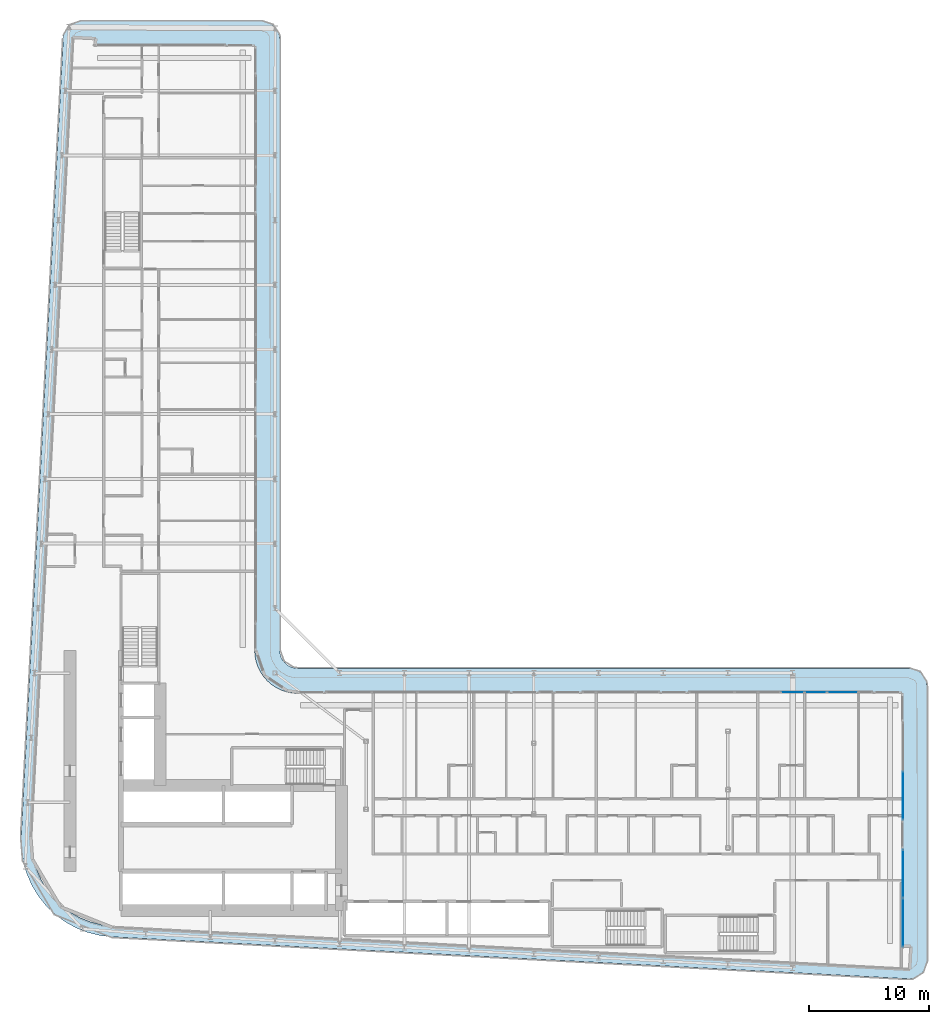
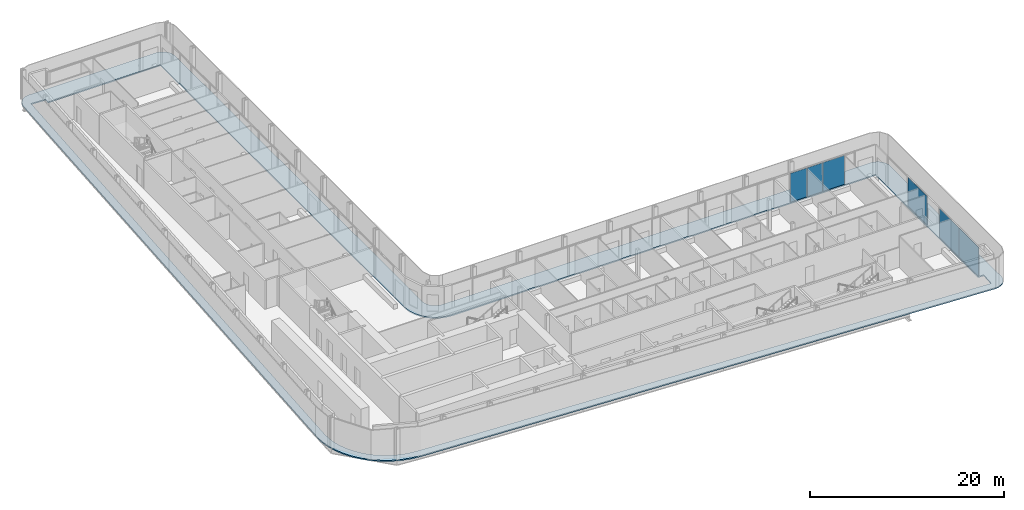
# One storey, part 12 of 29: 6 plates, 1 slab, 3 elements without a shape of their own.
"""IFC4 building model written with IfcOpenShell, lengths in metres."""

from ifc_helpers import new_model, si_unit, direction, frame, origin, origin_2d, place, context, subcontext, project, spatial, polyline, rectangle, outline, extrude, material, layer, layer_set, type_object, element, aggregate, save


model = new_model("IFC4")

# Units and contexts
model_context = context("Model", 3, precision=1e-05, world=origin(), true_north=direction((0.0, 1.0)))
body_context = subcontext(model_context, "Body", "Model", "MODEL_VIEW")
ifc_project = project(units=[si_unit("LENGTHUNIT", "METRE"), si_unit("AREAUNIT", "SQUARE_METRE"), si_unit("VOLUMEUNIT", "CUBIC_METRE"), si_unit("PLANEANGLEUNIT", "RADIAN"), si_unit("MASSUNIT", "GRAM", prefix="KILO")], contexts=[model_context])

# Site, building, storey
site_placement = place(None, origin())
site = spatial("IfcSite", under=ifc_project, at=site_placement, CompositionType="ELEMENT")
building_placement = place(site_placement, origin())
building = spatial("IfcBuilding", under=site, at=building_placement, Name="Kheshtan School and Residences Tower", CompositionType="ELEMENT")
storey_placement = place(building_placement, frame((0.0, 0.0, 69.5)))
storey = spatial("IfcBuildingStorey", under=building, at=storey_placement, Name="L16", CompositionType="ELEMENT", Elevation=69.5)

# Curtain wall, plates
ifc_material_1 = material(Name="Clear low-e glass in thermally broken aluminium frame", Category="aluminium")
ifc_layer_1 = layer(ifc_material_1, 0.199951171875)
ifc_layer_set_1 = layer_set([ifc_layer_1], Name="Curtain wall CW-L")
curtain_wall_type = type_object("IfcCurtainWallType", Name="Curtain wall CW-L", PredefinedType="NOTDEFINED", material=ifc_layer_set_1)
curtain_wall_1_placement = place(storey_placement, origin())
curtain_wall_1 = element("IfcCurtainWall", 1, at=curtain_wall_1_placement, inside=storey, type_object=curtain_wall_type, Name="Curtain wall CWL12m", PredefinedType="NOTDEFINED")
ifc_layer_2 = layer(ifc_material_1, 0.031982421875)
ifc_layer_set_2 = layer_set([ifc_layer_2], Name="CW-L glass panel")
plate_type = type_object("IfcPlateType", Name="CW-L glass panel", PredefinedType="CURTAIN_PANEL", material=ifc_layer_set_2)
plate_1_placement = place(storey_placement, frame((90.7880859375, 44.0, 0.0), z_axis=(0.0, 0.0, 1.0), x_axis=(1.0, 0.0, 0.0)))
plate_1 = element("IfcPlate", 2, at=plate_1_placement, type_object=plate_type, Name="CWL12m panel 1.1", PredefinedType="CURTAIN_PANEL", context=body_context, shape_type="SweptSolid", body=[
    extrude(rectangle(XDim=1.964111328125, YDim=0.031982421875, at=origin_2d()), origin(), (0.0, 0.0, 1.0), 3.6298828125),
])
plate_2_placement = place(storey_placement, frame((92.7265625, 44.0, 0.0), z_axis=(0.0, 0.0, 1.0), x_axis=(1.0, 0.0, 0.0)))
plate_2 = element("IfcPlate", 3, at=plate_2_placement, type_object=plate_type, Name="CWL12m panel 2.1", PredefinedType="CURTAIN_PANEL", context=body_context, shape_type="SweptSolid", body=[
    extrude(rectangle(XDim=1.79296875, YDim=0.031982421875, at=origin_2d()), origin(), (0.0, 0.0, 1.0), 3.6298828125),
])
plate_3_placement = place(storey_placement, frame((94.9765625, 44.0, 0.0), z_axis=(0.0, 0.0, 1.0), x_axis=(1.0, 0.0, 0.0)))
plate_3 = element("IfcPlate", 4, at=plate_3_placement, type_object=plate_type, Name="CWL12m panel 3.1", PredefinedType="CURTAIN_PANEL", context=body_context, shape_type="SweptSolid", body=[
    extrude(rectangle(XDim=2.5869140625, YDim=0.031982421875, at=origin_2d()), origin(), (0.0, 0.0, 1.0), 3.6298828125),
])
aggregate(curtain_wall_1, [plate_1, plate_2, plate_3])

# Curtain wall, plate
curtain_wall_2_placement = place(storey_placement, origin())
curtain_wall_2 = element("IfcCurtainWall", 5, at=curtain_wall_2_placement, inside=storey, type_object=curtain_wall_type, Name="Curtain wall CWL13b", PredefinedType="NOTDEFINED")
plate_4_placement = place(storey_placement, frame((100.0, 35.370361328125, 0.0), z_axis=(0.0, 0.0, 1.0), x_axis=(0.0, -1.0, 0.0)))
plate_4 = element("IfcPlate", 6, at=plate_4_placement, type_object=plate_type, Name="CWL13b panel 2.1", PredefinedType="CURTAIN_PANEL", context=body_context, shape_type="SweptSolid", body=[
    extrude(rectangle(XDim=4.006591796875, YDim=0.031982421875, at=origin_2d()), origin(), (0.0, 0.0, 1.0), 3.6298828125),
])
aggregate(curtain_wall_2, [plate_4])

# Curtain wall, plates
curtain_wall_3_placement = place(storey_placement, origin())
curtain_wall_3 = element("IfcCurtainWall", 7, at=curtain_wall_3_placement, inside=storey, type_object=curtain_wall_type, Name="Curtain wall CWL13b", PredefinedType="NOTDEFINED")
plate_5_placement = place(storey_placement, frame((100.0, 28.84375, 0.0), z_axis=(0.0, 0.0, 1.0), x_axis=(0.0, -1.0, 0.0)))
plate_5 = element("IfcPlate", 8, at=plate_5_placement, type_object=plate_type, Name="CWL13b panel 1.1", PredefinedType="CURTAIN_PANEL", context=body_context, shape_type="SweptSolid", body=[
    extrude(rectangle(XDim=4.006591796875, YDim=0.031982421875, at=origin_2d()), origin(), (0.0, 0.0, 1.0), 3.6298828125),
])
plate_6_placement = place(storey_placement, frame((100.0, 24.77734375, 0.0), z_axis=(0.0, 0.0, 1.0), x_axis=(0.0, -1.0, 0.0)))
plate_6 = element("IfcPlate", 9, at=plate_6_placement, type_object=plate_type, Name="CWL13b panel 2.1", PredefinedType="CURTAIN_PANEL", context=body_context, shape_type="SweptSolid", body=[
    extrude(rectangle(XDim=4.006591796875, YDim=0.031982421875, at=origin_2d()), origin(), (0.0, 0.0, 1.0), 3.6298828125),
])
aggregate(curtain_wall_3, [plate_5, plate_6])

# Slab
ifc_material_2 = material(Name="Concrete C40/50", Category="concrete")
ifc_layer_3 = layer(ifc_material_2, 0.14990234375)
ifc_layer_set_3 = layer_set([ifc_layer_3], Name="Loggia balcony slab 150 Concrete C40/50")
slab_type = type_object("IfcSlabType", Name="Loggia balcony slab 150 Concrete C40/50", PredefinedType="FLOOR", material=ifc_layer_set_3)
slab_placement = place(storey_placement, frame((0.0, 0.0, -0.14990234375)))
element("IfcSlab", 10, at=slab_placement, inside=storey, type_object=slab_type, Name="Loggia balcony slab L16", PredefinedType="FLOOR", context=body_context, shape_type="SweptSolid", body=[
    extrude(outline(polyline([(28.4580078125, 26.222900390625), (28.45703125, 26.222900390625), (28.45703125, 26.22412109375), (28.4560546875, 26.22412109375), (27.81494140625, 27.0390625), (27.281005859375, 27.93798828125), (26.867919921875, 28.89990234375), (26.583984375, 29.89990234375), (26.583984375, 29.906982421875), (26.43408203125, 30.943115234375), (26.419921875, 31.989013671875), (29.925048828125, 98.5791015625), (29.930908203125, 98.626953125), (29.930908203125, 98.6279296875), (29.929931640625, 98.6279296875), (29.929931640625, 98.62890625), (29.928955078125, 98.62890625), (29.928955078125, 98.6298828125), (29.927978515625, 98.6298828125), (29.927978515625, 98.631103515625), (29.927001953125, 98.631103515625), (29.927001953125, 98.632080078125), (29.927001953125, 98.633056640625), (29.945068359375, 98.781005859375), (29.945068359375, 98.783935546875), (29.945068359375, 98.784912109375), (29.946044921875, 98.784912109375), (29.946044921875, 98.785888671875), (29.947021484375, 98.785888671875), (29.947021484375, 98.787109375), (29.947998046875, 98.787109375), (29.948974609375, 98.787109375), (29.948974609375, 98.7880859375), (29.949951171875, 98.7880859375), (29.949951171875, 98.7890625), (29.949951171875, 98.791015625), (30.0029296875, 98.98388671875), (30.083984375, 99.175048828125), (30.18896484375, 99.35302734375), (30.31103515625, 99.507080078125), (30.31201171875, 99.507080078125), (30.31201171875, 99.508056640625), (30.31298828125, 99.508056640625), (30.31298828125, 99.509033203125), (30.31396484375, 99.509033203125), (30.31396484375, 99.510009765625), (30.31494140625, 99.510009765625), (30.31494140625, 99.510986328125), (30.31591796875, 99.510986328125), (30.31591796875, 99.511962890625), (30.31689453125, 99.511962890625), (30.31689453125, 99.512939453125), (30.318115234375, 99.512939453125), (30.320068359375, 99.512939453125), (30.321044921875, 99.512939453125), (30.321044921875, 99.513916015625), (30.468017578125, 99.656982421875), (30.468994140625, 99.656982421875), (30.468994140625, 99.657958984375), (30.469970703125, 99.657958984375), (30.469970703125, 99.658935546875), (30.470947265625, 99.658935546875), (30.470947265625, 99.659912109375), (30.471923828125, 99.659912109375), (30.471923828125, 99.660888671875), (30.472900390625, 99.660888671875), (30.472900390625, 99.662109375), (30.47412109375, 99.662109375), (30.47412109375, 99.6630859375), (30.47509765625, 99.6630859375), (30.47509765625, 99.6640625), (30.635986328125, 99.777099609375), (30.820068359375, 99.873046875), (31.007080078125, 99.943115234375), (31.013916015625, 99.943115234375), (31.217041015625, 99.986083984375), (31.423095703125, 100.0), (46.5, 100.0), (46.696044921875, 99.987060546875), (46.887939453125, 99.948974609375), (46.89501953125, 99.948974609375), (47.073974609375, 99.885986328125), (47.243896484375, 99.801025390625), (47.2451171875, 99.801025390625), (47.2470703125, 99.801025390625), (47.248046875, 99.801025390625), (47.248046875, 99.802001953125), (47.2490234375, 99.802001953125), (47.2490234375, 99.802978515625), (47.25, 99.802978515625), (47.2529296875, 99.802978515625), (47.25390625, 99.802978515625), (47.25390625, 99.802001953125), (47.2548828125, 99.802001953125), (47.2548828125, 99.801025390625), (47.256103515625, 99.801025390625), (47.256103515625, 99.800048828125), (47.257080078125, 99.800048828125), (47.257080078125, 99.799072265625), (47.258056640625, 99.799072265625), (47.258056640625, 99.798095703125), (47.412109375, 99.696044921875), (47.4130859375, 99.696044921875), (47.4130859375, 99.695068359375), (47.4140625, 99.695068359375), (47.4140625, 99.694091796875), (47.4140625, 99.68994140625), (47.4140625, 99.68896484375), (47.4150390625, 99.68896484375), (47.4150390625, 99.68798828125), (47.416015625, 99.68798828125), (47.416015625, 99.68701171875), (47.4169921875, 99.68701171875), (47.4169921875, 99.68603515625), (47.554931640625, 99.568115234375), (47.554931640625, 99.56689453125), (47.555908203125, 99.56689453125), (47.555908203125, 99.56591796875), (47.556884765625, 99.56591796875), (47.556884765625, 99.56494140625), (47.55810546875, 99.56494140625), (47.55810546875, 99.56396484375), (47.55908203125, 99.56396484375), (47.55908203125, 99.56298828125), (47.56005859375, 99.56298828125), (47.56005859375, 99.56201171875), (47.56103515625, 99.56201171875), (47.56201171875, 99.56103515625), (47.56201171875, 99.56005859375), (47.56298828125, 99.56005859375), (47.56298828125, 99.55908203125), (47.56396484375, 99.55908203125), (47.56396484375, 99.55810546875), (47.56494140625, 99.55810546875), (47.56494140625, 99.556884765625), (47.56591796875, 99.556884765625), (47.56591796875, 99.555908203125), (47.56689453125, 99.555908203125), (47.56689453125, 99.554931640625), (47.568115234375, 99.554931640625), (47.68505859375, 99.41796875), (47.68603515625, 99.41796875), (47.68603515625, 99.4169921875), (47.68701171875, 99.4169921875), (47.68701171875, 99.416015625), (47.68798828125, 99.416015625), (47.68798828125, 99.4150390625), (47.68896484375, 99.4150390625), (47.68896484375, 99.4140625), (47.68994140625, 99.4140625), (47.694091796875, 99.4140625), (47.695068359375, 99.4140625), (47.695068359375, 99.4130859375), (47.696044921875, 99.4130859375), (47.696044921875, 99.412109375), (47.797119140625, 99.259033203125), (47.798095703125, 99.259033203125), (47.798095703125, 99.258056640625), (47.799072265625, 99.258056640625), (47.799072265625, 99.257080078125), (47.800048828125, 99.257080078125), (47.800048828125, 99.256103515625), (47.801025390625, 99.256103515625), (47.801025390625, 99.2548828125), (47.802001953125, 99.2548828125), (47.802001953125, 99.25390625), (47.802978515625, 99.25390625), (47.802978515625, 99.2529296875), (47.802978515625, 99.25), (47.802978515625, 99.2490234375), (47.802001953125, 99.2490234375), (47.802001953125, 99.248046875), (47.801025390625, 99.248046875), (47.801025390625, 99.2470703125), (47.801025390625, 99.243896484375), (47.801025390625, 99.242919921875), (47.885986328125, 99.073974609375), (47.948974609375, 98.89501953125), (47.948974609375, 98.887939453125), (47.987060546875, 98.696044921875), (48.0, 98.5), (48.0, 47.5), (48.012939453125, 47.303955078125), (48.051025390625, 47.113037109375), (48.051025390625, 47.10693359375), (48.051025390625, 47.10595703125), (48.114013671875, 46.926025390625), (48.200927734375, 46.75), (48.31005859375, 46.5869140625), (48.431884765625, 46.444091796875), (48.43310546875, 46.444091796875), (48.43310546875, 46.443115234375), (48.43408203125, 46.443115234375), (48.43408203125, 46.44189453125), (48.43505859375, 46.44189453125), (48.43505859375, 46.44091796875), (48.43603515625, 46.44091796875), (48.43603515625, 46.43994140625), (48.43701171875, 46.43994140625), (48.43701171875, 46.43896484375), (48.43798828125, 46.43896484375), (48.43896484375, 46.43798828125), (48.43896484375, 46.43701171875), (48.43994140625, 46.43701171875), (48.43994140625, 46.43603515625), (48.44091796875, 46.43603515625), (48.44091796875, 46.43505859375), (48.44189453125, 46.43505859375), (48.44189453125, 46.43408203125), (48.443115234375, 46.43408203125), (48.443115234375, 46.43310546875), (48.444091796875, 46.43310546875), (48.444091796875, 46.431884765625), (48.5869140625, 46.31005859375), (48.75, 46.200927734375), (48.926025390625, 46.114013671875), (49.10595703125, 46.051025390625), (49.10693359375, 46.051025390625), (49.113037109375, 46.051025390625), (49.303955078125, 46.012939453125), (49.5, 46.0), (100.5, 46.0), (100.696044921875, 45.987060546875), (100.887939453125, 45.948974609375), (100.89501953125, 45.948974609375), (101.073974609375, 45.885986328125), (101.241943359375, 45.801025390625), (101.242919921875, 45.801025390625), (101.2470703125, 45.801025390625), (101.248046875, 45.801025390625), (101.248046875, 45.802001953125), (101.2490234375, 45.802001953125), (101.2490234375, 45.802978515625), (101.25, 45.802978515625), (101.2529296875, 45.802978515625), (101.25390625, 45.802978515625), (101.25390625, 45.802001953125), (101.2548828125, 45.802001953125), (101.2548828125, 45.801025390625), (101.256103515625, 45.801025390625), (101.256103515625, 45.800048828125), (101.257080078125, 45.800048828125), (101.257080078125, 45.799072265625), (101.258056640625, 45.799072265625), (101.258056640625, 45.798095703125), (101.259033203125, 45.798095703125), (101.259033203125, 45.797119140625), (101.260009765625, 45.797119140625), (101.260009765625, 45.7958984375), (101.412109375, 45.696044921875), (101.4130859375, 45.696044921875), (101.4130859375, 45.695068359375), (101.4140625, 45.695068359375), (101.4140625, 45.694091796875), (101.4140625, 45.68994140625), (101.4140625, 45.68896484375), (101.4150390625, 45.68896484375), (101.4150390625, 45.68798828125), (101.416015625, 45.68798828125), (101.416015625, 45.68701171875), (101.4169921875, 45.68701171875), (101.4169921875, 45.68603515625), (101.41796875, 45.68603515625), (101.41796875, 45.68505859375), (101.4189453125, 45.68505859375), (101.4189453125, 45.68408203125), (101.554931640625, 45.568115234375), (101.554931640625, 45.56689453125), (101.555908203125, 45.56689453125), (101.555908203125, 45.56591796875), (101.556884765625, 45.56591796875), (101.556884765625, 45.56494140625), (101.55810546875, 45.56494140625), (101.55810546875, 45.56396484375), (101.55908203125, 45.56396484375), (101.55908203125, 45.56298828125), (101.56005859375, 45.56298828125), (101.56005859375, 45.56201171875), (101.56103515625, 45.56201171875), (101.56201171875, 45.56103515625), (101.56201171875, 45.56005859375), (101.56298828125, 45.56005859375), (101.56298828125, 45.55908203125), (101.56396484375, 45.55908203125), (101.56396484375, 45.55810546875), (101.56494140625, 45.55810546875), (101.56494140625, 45.556884765625), (101.56591796875, 45.556884765625), (101.56591796875, 45.555908203125), (101.56689453125, 45.555908203125), (101.56689453125, 45.554931640625), (101.568115234375, 45.554931640625), (101.681884765625, 45.4208984375), (101.68310546875, 45.4208984375), (101.68310546875, 45.419921875), (101.68408203125, 45.419921875), (101.68408203125, 45.4189453125), (101.68505859375, 45.4189453125), (101.68505859375, 45.41796875), (101.68603515625, 45.41796875), (101.68603515625, 45.4169921875), (101.68701171875, 45.4169921875), (101.68701171875, 45.416015625), (101.68798828125, 45.416015625), (101.68798828125, 45.4150390625), (101.68896484375, 45.4150390625), (101.68896484375, 45.4140625), (101.68994140625, 45.4140625), (101.694091796875, 45.4140625), (101.695068359375, 45.4140625), (101.695068359375, 45.4130859375), (101.696044921875, 45.4130859375), (101.696044921875, 45.412109375), (101.7939453125, 45.261962890625), (101.794921875, 45.261962890625), (101.794921875, 45.260986328125), (101.7958984375, 45.260986328125), (101.7958984375, 45.260009765625), (101.797119140625, 45.260009765625), (101.797119140625, 45.259033203125), (101.798095703125, 45.259033203125), (101.798095703125, 45.258056640625), (101.799072265625, 45.258056640625), (101.799072265625, 45.257080078125), (101.800048828125, 45.257080078125), (101.800048828125, 45.256103515625), (101.801025390625, 45.256103515625), (101.801025390625, 45.2548828125), (101.802001953125, 45.2548828125), (101.802001953125, 45.25390625), (101.802978515625, 45.25390625), (101.802978515625, 45.2529296875), (101.802978515625, 45.25), (101.802978515625, 45.2490234375), (101.802001953125, 45.2490234375), (101.802001953125, 45.248046875), (101.801025390625, 45.248046875), (101.801025390625, 45.2470703125), (101.801025390625, 45.240966796875), (101.801025390625, 45.239990234375), (101.885986328125, 45.073974609375), (101.948974609375, 44.89501953125), (101.948974609375, 44.887939453125), (101.987060546875, 44.696044921875), (102.0, 44.5), (102.0, 21.5810546875), (101.986083984375, 21.37890625), (101.945068359375, 21.179931640625), (101.945068359375, 21.173095703125), (101.8779296875, 20.989013671875), (101.785888671875, 20.80810546875), (101.6708984375, 20.64306640625), (101.6708984375, 20.64208984375), (101.6708984375, 20.64111328125), (101.6708984375, 20.639892578125), (101.672119140625, 20.639892578125), (101.672119140625, 20.638916015625), (101.672119140625, 20.636962890625), (101.672119140625, 20.635986328125), (101.6708984375, 20.635986328125), (101.6708984375, 20.635009765625), (101.5380859375, 20.491943359375), (101.534912109375, 20.489013671875), (101.533935546875, 20.489013671875), (101.533935546875, 20.488037109375), (101.532958984375, 20.488037109375), (101.531005859375, 20.488037109375), (101.530029296875, 20.488037109375), (101.530029296875, 20.489013671875), (101.529052734375, 20.489013671875), (101.528076171875, 20.489013671875), (101.527099609375, 20.489013671875), (101.3759765625, 20.364013671875), (101.2041015625, 20.256103515625), (101.01904296875, 20.174072265625), (100.8310546875, 20.116943359375), (100.823974609375, 20.116943359375), (100.6240234375, 20.0859375), (100.4208984375, 20.0830078125), (33.989013671875, 23.580078125), (33.94189453125, 23.5859375), (33.94091796875, 23.5859375), (33.93994140625, 23.5859375), (33.93994140625, 23.5849609375), (33.93896484375, 23.5849609375), (33.93896484375, 23.583984375), (33.93798828125, 23.583984375), (33.93798828125, 23.5830078125), (33.93701171875, 23.5830078125), (33.93701171875, 23.58203125), (33.93603515625, 23.58203125), (33.93505859375, 23.58203125), (32.952880859375, 23.697998046875), (32.949951171875, 23.697998046875), (32.948974609375, 23.697998046875), (32.948974609375, 23.698974609375), (32.947998046875, 23.698974609375), (32.947998046875, 23.699951171875), (32.947021484375, 23.699951171875), (32.947021484375, 23.700927734375), (32.947021484375, 23.702880859375), (32.947021484375, 23.7041015625), (32.946044921875, 23.7041015625), (32.946044921875, 23.705078125), (32.945068359375, 23.705078125), (32.944091796875, 23.705078125), (31.93603515625, 23.9609375), (31.928955078125, 23.9609375), (30.964111328125, 24.34912109375), (30.051025390625, 24.860107421875), (29.218994140625, 25.47900390625), (29.218994140625, 25.47998046875), (29.218017578125, 25.47998046875), (29.218017578125, 25.48095703125), (29.217041015625, 25.48095703125), (29.217041015625, 25.48193359375), (29.216064453125, 25.48193359375), (29.216064453125, 25.48291015625), (29.215087890625, 25.48291015625), (29.215087890625, 25.48388671875), (29.214111328125, 25.48388671875), (29.214111328125, 25.485107421875), (29.212890625, 25.485107421875), (29.212890625, 25.486083984375), (29.2119140625, 25.486083984375), (28.466064453125, 26.217041015625), (28.466064453125, 26.218017578125), (28.465087890625, 26.218017578125), (28.462890625, 26.218017578125), (28.4619140625, 26.218017578125), (28.4619140625, 26.218994140625), (28.4609375, 26.218994140625), (28.4609375, 26.219970703125), (28.4599609375, 26.219970703125), (28.4599609375, 26.220947265625), (28.458984375, 26.220947265625), (28.458984375, 26.221923828125), (28.4580078125, 26.221923828125), (28.4580078125, 26.222900390625)]), holes=[polyline([(29.12890625, 26.824951171875), (29.12890625, 26.823974609375), (29.1298828125, 26.823974609375), (29.1298828125, 26.822998046875), (29.131103515625, 26.822998046875), (29.131103515625, 26.822021484375), (29.132080078125, 26.822021484375), (29.132080078125, 26.821044921875), (29.133056640625, 26.821044921875), (29.133056640625, 26.820068359375), (29.134033203125, 26.820068359375), (29.7958984375, 26.173095703125), (29.7958984375, 26.172119140625), (29.797119140625, 26.172119140625), (29.798095703125, 26.172119140625), (29.799072265625, 26.172119140625), (29.799072265625, 26.1708984375), (29.800048828125, 26.1708984375), (29.800048828125, 26.169921875), (29.801025390625, 26.169921875), (29.801025390625, 26.1689453125), (29.802001953125, 26.1689453125), (29.802001953125, 26.16796875), (29.802978515625, 26.16796875), (29.802978515625, 26.1669921875), (29.803955078125, 26.1669921875), (29.803955078125, 26.166015625), (30.541015625, 25.616943359375), (31.35205078125, 25.1630859375), (32.208984375, 24.819091796875), (32.2099609375, 24.819091796875), (32.216064453125, 24.819091796875), (33.114990234375, 24.590087890625), (34.06591796875, 24.47705078125), (100.43798828125, 20.98291015625), (100.465087890625, 20.98388671875), (100.466064453125, 20.98388671875), (100.467041015625, 20.98388671875), (100.467041015625, 20.985107421875), (100.468017578125, 20.985107421875), (100.468017578125, 20.986083984375), (100.468017578125, 20.987060546875), (100.55810546875, 22.676025390625), (100.55810546875, 22.677001953125), (100.55810546875, 22.677978515625), (100.556884765625, 22.677978515625), (100.556884765625, 22.678955078125), (100.555908203125, 22.678955078125), (100.554931640625, 22.678955078125), (99.90087890625, 22.714111328125), (99.89990234375, 22.714111328125), (99.89990234375, 22.715087890625), (99.89990234375, 43.89794921875), (99.89990234375, 43.89892578125), (99.89892578125, 43.89892578125), (99.89892578125, 43.89990234375), (99.89794921875, 43.89990234375), (49.429931640625, 43.89990234375), (49.030029296875, 43.927001953125), (48.569091796875, 44.01806640625), (48.56201171875, 44.01806640625), (48.1201171875, 44.169921875), (47.697021484375, 44.37890625), (47.30810546875, 44.638916015625), (46.95703125, 44.944091796875), (46.95703125, 44.945068359375), (46.9560546875, 44.945068359375), (46.9560546875, 44.946044921875), (46.955078125, 44.946044921875), (46.955078125, 44.947021484375), (46.9541015625, 44.947021484375), (46.9541015625, 44.947998046875), (46.952880859375, 44.947998046875), (46.952880859375, 44.948974609375), (46.951904296875, 44.948974609375), (46.951904296875, 44.949951171875), (46.951904296875, 44.950927734375), (46.950927734375, 44.950927734375), (46.950927734375, 44.951904296875), (46.949951171875, 44.951904296875), (46.948974609375, 44.951904296875), (46.948974609375, 44.952880859375), (46.947998046875, 44.952880859375), (46.947998046875, 44.9541015625), (46.947021484375, 44.9541015625), (46.947021484375, 44.955078125), (46.946044921875, 44.955078125), (46.946044921875, 44.9560546875), (46.945068359375, 44.9560546875), (46.945068359375, 44.95703125), (46.944091796875, 44.95703125), (46.638916015625, 45.30810546875), (46.37890625, 45.697021484375), (46.169921875, 46.1201171875), (46.01806640625, 46.56201171875), (46.01806640625, 46.569091796875), (45.927001953125, 47.030029296875), (45.89990234375, 47.429931640625), (45.89990234375, 97.89794921875), (45.89990234375, 97.89892578125), (45.89892578125, 97.89892578125), (45.89892578125, 97.89990234375), (45.89794921875, 97.89990234375), (32.492919921875, 97.89990234375), (32.491943359375, 97.89990234375), (32.52099609375, 98.43896484375), (32.52099609375, 98.43994140625), (32.52099609375, 98.44091796875), (32.52001953125, 98.44091796875), (32.52001953125, 98.44189453125), (32.51904296875, 98.44189453125), (32.51806640625, 98.44189453125), (30.8291015625, 98.531982421875), (30.827880859375, 98.531982421875), (30.826904296875, 98.531982421875), (30.826904296875, 98.531005859375), (30.825927734375, 98.531005859375), (30.825927734375, 98.530029296875), (30.825927734375, 98.529052734375), (30.822021484375, 98.5009765625), (27.320068359375, 31.970947265625), (27.3330078125, 31.013916015625), (27.466064453125, 30.093994140625), (27.466064453125, 30.087890625), (27.466064453125, 30.0869140625), (27.718017578125, 29.200927734375), (28.0849609375, 28.345947265625), (28.55908203125, 27.550048828125), (29.126953125, 26.825927734375), (29.1279296875, 26.825927734375), (29.1279296875, 26.824951171875), (29.12890625, 26.824951171875)])]), origin(), (0.0, 0.0, 1.0), 0.14990234375),
])

save(model, "model.ifc")
